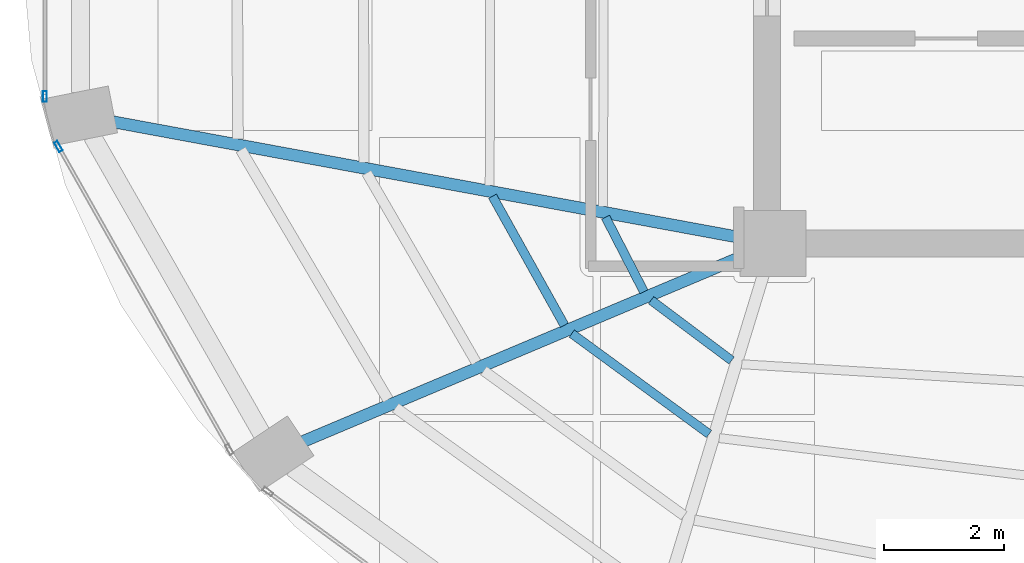
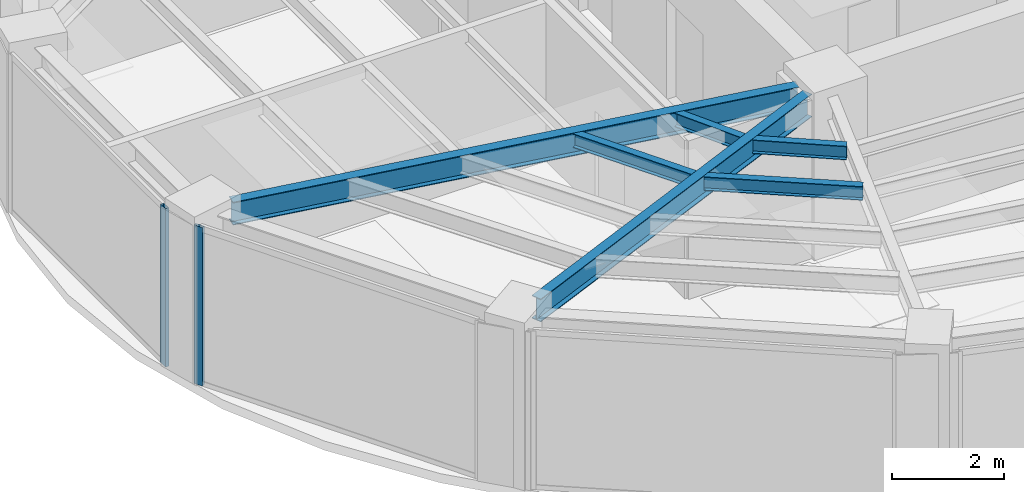
# One storey, part 4 of 23: 6 beams, 2 members, 2 elements without a shape of their own.
"""IFC4 building model written with IfcOpenShell, lengths in metres."""

from ifc_helpers import new_model, si_unit, direction, frame, origin, origin_2d, place, context, subcontext, project, spatial, hollow_rectangle, i_section, extrude, material, layer, layer_set, material_profile, profile_set, type_object, element, aggregate, save


model = new_model("IFC4")

# Units and contexts
model_context = context("Model", 3, precision=1e-05, world=origin(), true_north=direction((0.0, 1.0)))
body_context = subcontext(model_context, "Body", "Model", "MODEL_VIEW")
ifc_project = project(units=[si_unit("LENGTHUNIT", "METRE"), si_unit("AREAUNIT", "SQUARE_METRE"), si_unit("VOLUMEUNIT", "CUBIC_METRE"), si_unit("PLANEANGLEUNIT", "RADIAN"), si_unit("MASSUNIT", "GRAM", prefix="KILO")], contexts=[model_context])

# Site, building, storey
site_placement = place(None, origin())
site = spatial("IfcSite", under=ifc_project, at=site_placement, CompositionType="ELEMENT")
building_placement = place(site_placement, origin())
building = spatial("IfcBuilding", under=site, at=building_placement, Name="Lazwardi Medical Tower", CompositionType="ELEMENT")
storey_placement = place(building_placement, frame((0.0, 0.0, 262.320068359375)))
storey = spatial("IfcBuildingStorey", under=building, at=storey_placement, Name="L68", CompositionType="ELEMENT", Elevation=262.320068359375)

# Beams
ifc_material_1 = material(Name="Steel S355", Category="steel")
ifc_material_profile_1 = material_profile(ifc_material_1, i_section(OverallWidth=0.199951171875, OverallDepth=0.5, WebThickness=0.01025390625, FlangeThickness=0.01611328125, at=origin_2d()), Name="IPE 500")
ifc_profile_set_1 = profile_set([ifc_material_profile_1], Name="Steel S355")
beam_type_1 = type_object("IfcBeamType", Name="BM-RG-W3", PredefinedType="BEAM", material=ifc_profile_set_1)
beam_1_placement = place(storey_placement, frame((15.341064453125, 22.43994140625, 3.197998046875), z_axis=(0.983409341459, -0.181400295288, 0.0), x_axis=(0.181400295288, 0.983409341459, 0.0)))
element("IfcBeam", 1, at=beam_1_placement, inside=storey, type_object=beam_type_1, Name="Radial girder RG-04 R13 L68", PredefinedType="BEAM", context=body_context, shape_type="SweptSolid", body=[
    extrude(i_section(OverallWidth=0.199951171875, OverallDepth=0.5, WebThickness=0.01025390625, FlangeThickness=0.01611328125, at=origin_2d()), origin(), (0.0, 0.0, 1.0), 10.71044921875),
])
beam_2_placement = place(storey_placement, frame((18.533203125, 17.085205078125, 3.197998046875), z_axis=(0.921526791352, 0.388314785735, 0.0), x_axis=(-0.388314785735, 0.921526791352, 0.0)))
element("IfcBeam", 2, at=beam_2_placement, inside=storey, type_object=beam_type_1, Name="Radial girder RG-04 R14 L68", PredefinedType="BEAM", context=body_context, shape_type="SweptSolid", body=[
    extrude(i_section(OverallWidth=0.199951171875, OverallDepth=0.5, WebThickness=0.01025390625, FlangeThickness=0.01611328125, at=origin_2d()), origin(), (0.0, 0.0, 1.0), 8.001708984375),
])
ifc_material_profile_2 = material_profile(ifc_material_1, i_section(OverallWidth=0.14990234375, OverallDepth=0.300048828125, WebThickness=0.007080078125, FlangeThickness=0.0107421875, at=origin_2d()), Name="IPE 300")
ifc_profile_set_2 = profile_set([ifc_material_profile_2], Name="Steel S355")
beam_type_2 = type_object("IfcBeamType", Name="BM-SJ-03", PredefinedType="JOIST", material=ifc_profile_set_2)
beam_3_placement = place(storey_placement, frame((21.70703125, 21.19140625, 3.2978515625), z_axis=(0.487092942089, -0.873350139272, 0.0), x_axis=(0.873350139272, 0.487092942089, 0.0)))
element("IfcBeam", 3, at=beam_3_placement, inside=storey, type_object=beam_type_2, Name="Secondary joist SJ-03 R3 B13 L68", PredefinedType="JOIST", context=body_context, shape_type="SweptSolid", body=[
    extrude(i_section(OverallWidth=0.14990234375, OverallDepth=0.300048828125, WebThickness=0.007080078125, FlangeThickness=0.0107421875, at=origin_2d()), origin(), (0.0, 0.0, 1.0), 2.471923828125),
])
beam_4_placement = place(storey_placement, frame((23.0341796875, 18.893310546875, 3.2978515625), z_axis=(0.80703431267, -0.59050454543, 0.0), x_axis=(0.59050454543, 0.80703431267, 0.0)))
element("IfcBeam", 4, at=beam_4_placement, inside=storey, type_object=beam_type_2, Name="Secondary joist SJ-03 R3 B14 L68", PredefinedType="JOIST", context=body_context, shape_type="SweptSolid", body=[
    extrude(i_section(OverallWidth=0.14990234375, OverallDepth=0.300048828125, WebThickness=0.007080078125, FlangeThickness=0.0107421875, at=origin_2d()), origin(), (0.0, 0.0, 1.0), 2.846923828125),
])
beam_5_placement = place(storey_placement, frame((23.60009765625, 20.840087890625, 3.2978515625), z_axis=(0.457285056668, -0.889320176848, 0.0), x_axis=(0.889320176848, 0.457285056668, 0.0)))
element("IfcBeam", 5, at=beam_5_placement, inside=storey, type_object=beam_type_2, Name="Secondary joist SJ-03 R4 B13 L68", PredefinedType="JOIST", context=body_context, shape_type="SweptSolid", body=[
    extrude(i_section(OverallWidth=0.14990234375, OverallDepth=0.300048828125, WebThickness=0.007080078125, FlangeThickness=0.0107421875, at=origin_2d()), origin(), (0.0, 0.0, 1.0), 1.402099609375),
])
beam_6_placement = place(storey_placement, frame((24.36083984375, 19.451904296875, 3.2978515625), z_axis=(0.800365301971, -0.599512621553, 0.0), x_axis=(0.599512621553, 0.800365301971, 0.0)))
element("IfcBeam", 6, at=beam_6_placement, inside=storey, type_object=beam_type_2, Name="Secondary joist SJ-03 R4 B14 L68", PredefinedType="JOIST", context=body_context, shape_type="SweptSolid", body=[
    extrude(i_section(OverallWidth=0.14990234375, OverallDepth=0.300048828125, WebThickness=0.007080078125, FlangeThickness=0.0107421875, at=origin_2d()), origin(), (0.0, 0.0, 1.0), 1.68359375),
])

# Curtain wall, member
ifc_material_2 = material(Name="Anodised bronze aluminium and solar control glazing", Category="aluminium")
ifc_layer = layer(ifc_material_2, 0.18994140625)
ifc_layer_set = layer_set([ifc_layer], Name="Anodised bronze aluminium and solar control glazing")
curtain_wall_type = type_object("IfcCurtainWallType", Name="CW-SYS-04", PredefinedType="NOTDEFINED", material=ifc_layer_set)
curtain_wall_1_placement = place(storey_placement, origin())
curtain_wall_1 = element("IfcCurtainWall", 7, at=curtain_wall_1_placement, inside=storey, type_object=curtain_wall_type, Name="L68 Unitised bronze curtain wall CW-04", PredefinedType="NOTDEFINED")
ifc_material_3 = material(Name="Anodised bronze aluminium", Category="aluminium")
ifc_material_profile_3 = material_profile(ifc_material_3, hollow_rectangle(XDim=0.06494140625, YDim=0.179931640625, WallThickness=0.00390625, at=origin_2d()), Name="ALU-MULLION 180x65x4")
ifc_profile_set_3 = profile_set([ifc_material_profile_3], Name="Anodised bronze aluminium")
member_type = type_object("IfcMemberType", Name="CW-MUL-03", PredefinedType="MULLION", material=ifc_profile_set_3)
member_1_placement = place(storey_placement, frame((14.2158203125, 22.859619140625, 0.0), z_axis=(0.0, 0.0, 1.0), x_axis=(1.0, 0.0, 0.0)))
member_1 = element("IfcMember", 8, at=member_1_placement, type_object=member_type, Name="CW-04 mullion 2", PredefinedType="MULLION", context=body_context, shape_type="SweptSolid", body=[
    extrude(hollow_rectangle(XDim=0.06494140625, YDim=0.179931640625, WallThickness=0.00390625, at=origin_2d()), origin(), (0.0, 0.0, 1.0), 3.447998046875),
])
aggregate(curtain_wall_1, [member_1])

curtain_wall_2_placement = place(storey_placement, origin())
curtain_wall_2 = element("IfcCurtainWall", 9, at=curtain_wall_2_placement, inside=storey, type_object=curtain_wall_type, Name="L68 Unitised bronze curtain wall CW-04", PredefinedType="NOTDEFINED")
member_2_placement = place(storey_placement, frame((14.442626953125, 22.021728515625, 0.0), z_axis=(0.0, 0.0, 1.0), x_axis=(0.870651436011, 0.491900474661, 0.0)))
member_2 = element("IfcMember", 10, at=member_2_placement, type_object=member_type, Name="CW-04 mullion 1", PredefinedType="MULLION", context=body_context, shape_type="SweptSolid", body=[
    extrude(hollow_rectangle(XDim=0.06494140625, YDim=0.179931640625, WallThickness=0.00390625, at=origin_2d()), origin(), (0.0, 0.0, 1.0), 3.447998046875),
])
aggregate(curtain_wall_2, [member_2])

save(model, "model.ifc")
